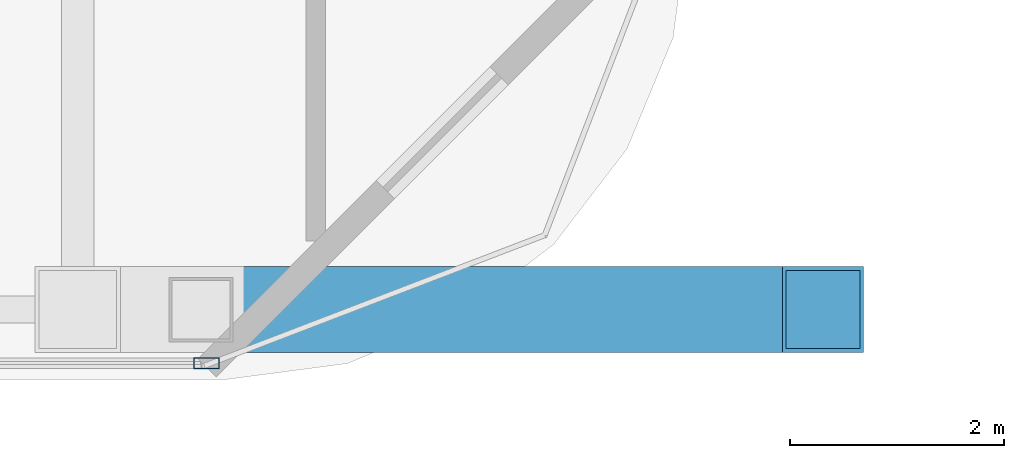
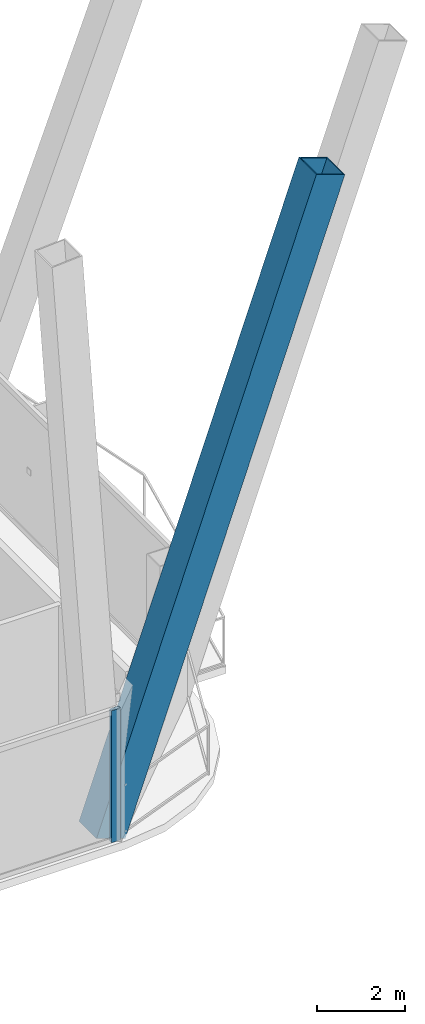
# One storey, part 9 of 27: 2 members, 1 element without a shape of its own.
"""IFC4 building model written with IfcOpenShell, lengths in metres."""

from ifc_helpers import new_model, si_unit, direction, frame, origin, origin_2d, place, context, subcontext, project, spatial, hollow_rectangle, extrude, material, layer, layer_set, material_profile, profile_set, type_object, element, aggregate, save


model = new_model("IFC4")

# Units and contexts
model_context = context("Model", 3, precision=1e-05, world=origin(), true_north=direction((0.0, 1.0)))
body_context = subcontext(model_context, "Body", "Model", "MODEL_VIEW")
ifc_project = project(units=[si_unit("LENGTHUNIT", "METRE"), si_unit("AREAUNIT", "SQUARE_METRE"), si_unit("VOLUMEUNIT", "CUBIC_METRE"), si_unit("PLANEANGLEUNIT", "RADIAN"), si_unit("MASSUNIT", "GRAM", prefix="KILO")], contexts=[model_context])

# Site, building, storey
site_placement = place(None, origin())
site = spatial("IfcSite", under=ifc_project, at=site_placement, CompositionType="ELEMENT")
building_placement = place(site_placement, origin())
building = spatial("IfcBuilding", under=site, at=building_placement, Name="Khorvyn Point Tower", CompositionType="ELEMENT")
storey_placement = place(building_placement, frame((0.0, 0.0, 203.10009765625)))
storey = spatial("IfcBuildingStorey", under=building, at=storey_placement, Name="L50", CompositionType="ELEMENT", Elevation=203.10009765625)

# Curtain wall, member
ifc_material_1 = material(Name="Anodised aluminium 6063-T6 and laminated Low-E glass", Category="aluminium")
ifc_layer = layer(ifc_material_1, 0.18994140625)
ifc_layer_set = layer_set([ifc_layer], Name="Stick-Built Acoustic Curtain Wall CW-SYS-03")
curtain_wall_type = type_object("IfcCurtainWallType", Name="Stick-Built Acoustic Curtain Wall CW-SYS-03", PredefinedType="NOTDEFINED", material=ifc_layer_set)
curtain_wall_placement = place(storey_placement, origin())
curtain_wall = element("IfcCurtainWall", 1, at=curtain_wall_placement, inside=storey, type_object=curtain_wall_type, Name="Curtain Wall", PredefinedType="NOTDEFINED")
ifc_material_2 = material(Name="Anodised aluminium 6063-T6", Category="aluminium")
ifc_material_profile_1 = material_profile(ifc_material_2, hollow_rectangle(XDim=0.10009765625, YDim=0.239990234375, WallThickness=0.0048828125, at=origin_2d()))
ifc_profile_set_1 = profile_set([ifc_material_profile_1], Name="Anodised aluminium 6063-T6 ALU-MUL-100x240")
member_type_1 = type_object("IfcMemberType", Name="Anodised Aluminium 6063-T6 Mullion ALU-MUL-100x240", PredefinedType="MULLION", material=ifc_profile_set_1)
member_1_placement = place(storey_placement, frame((16.0, -28.64990234375, 0.0), z_axis=(0.0, 0.0, 1.0), x_axis=(0.0, -1.0, 0.0)))
member_1 = element("IfcMember", 2, at=member_1_placement, type_object=member_type_1, Name="Transom", PredefinedType="MULLION", context=body_context, shape_type="SweptSolid", body=[
    extrude(hollow_rectangle(XDim=0.10009765625, YDim=0.239990234375, WallThickness=0.0048828125, at=origin_2d()), origin(), (0.0, 0.0, 1.0), 3.679931640625),
])
aggregate(curtain_wall, [member_1])

# Member
ifc_material_3 = material(Name="Steel S450", Category="steel")
ifc_material_profile_2 = material_profile(ifc_material_3, hollow_rectangle(XDim=0.800048828125, YDim=0.800048828125, WallThickness=0.035888671875, at=origin_2d()))
ifc_profile_set_2 = profile_set([ifc_material_profile_2], Name="Steel S450 BOX800x800x36")
member_type_2 = type_object("IfcMemberType", Name="Steel S450 Exoskeleton Structural Post BOX800x800x36", PredefinedType="POST", material=ifc_profile_set_2)
member_2_placement = place(storey_placement, frame((15.949951171875, -28.14990234375, 0.0), z_axis=(0.33162602696, 0.0, 0.943410927562), x_axis=(0.0, 1.0, 0.0)))
element("IfcMember", 3, at=member_2_placement, inside=storey, type_object=member_type_2, Name="L50 to L54 Exoskeleton Transfer Post 02", PredefinedType="POST", context=body_context, shape_type="SweptSolid", body=[
    extrude(hollow_rectangle(XDim=0.800048828125, YDim=0.800048828125, WallThickness=0.035888671875, at=origin_2d()), origin(), (0.0, 0.0, 1.0), 17.48974609375),
])

save(model, "model.ifc")
